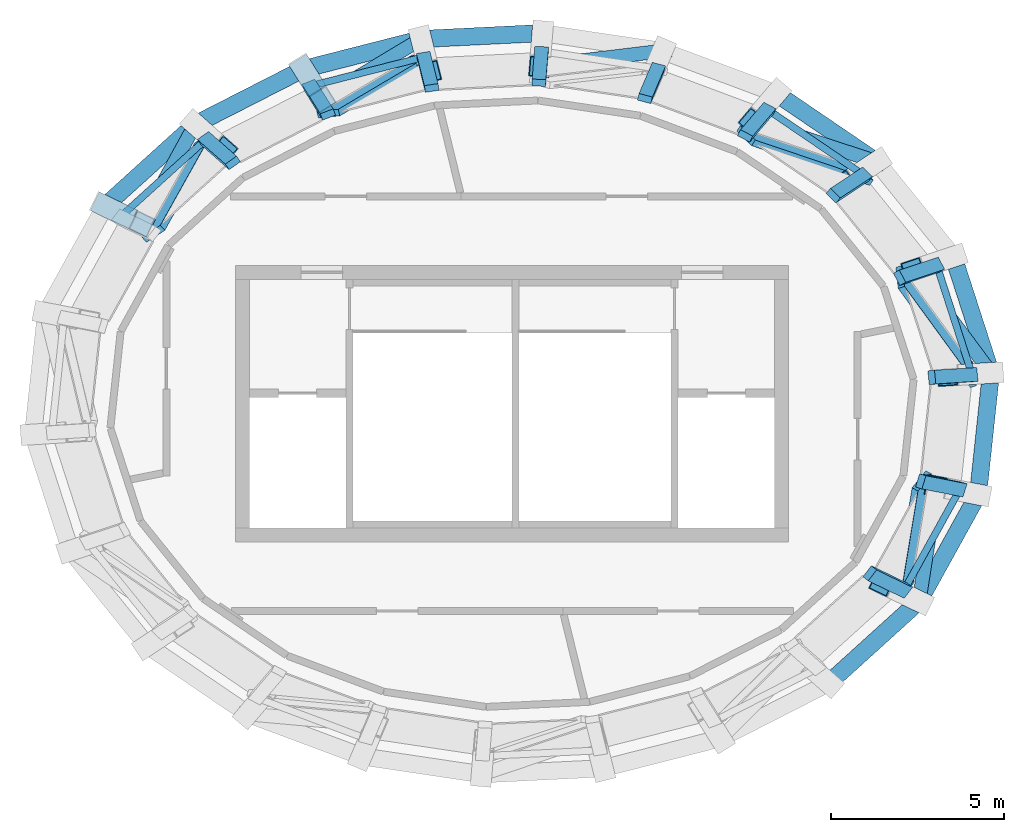
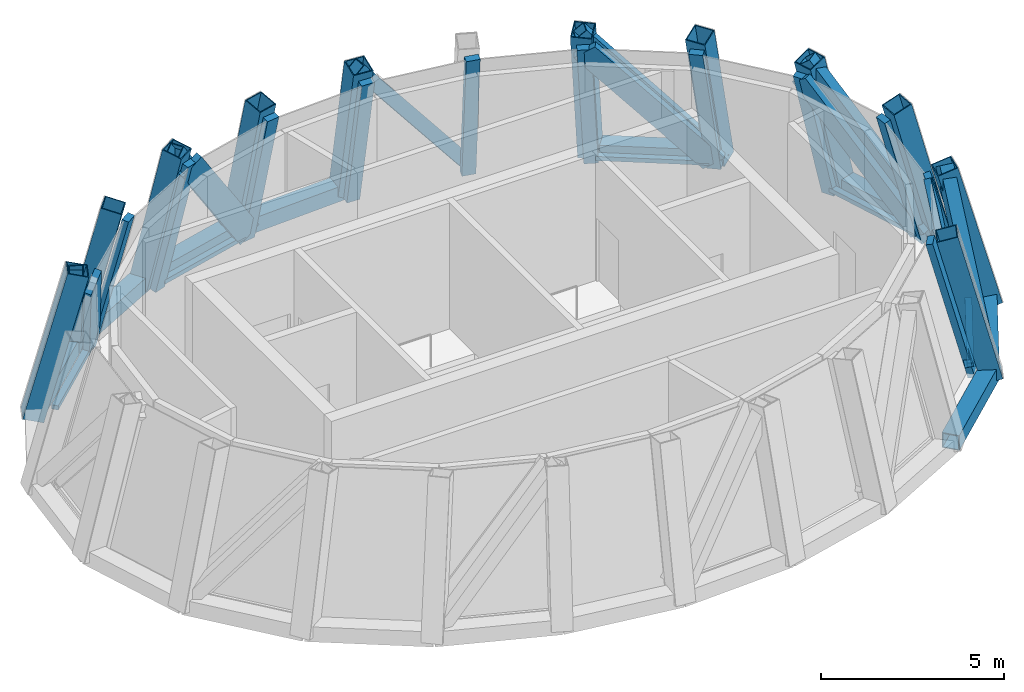
# One storey, part 2 of 6: 38 members, 9 beams, 1 element without a shape of its own.
"""IFC4 building model written with IfcOpenShell, lengths in metres."""

from ifc_helpers import new_model, si_unit, direction, frame, origin, origin_2d, place, context, subcontext, project, spatial, rectangle, hollow_rectangle, extrude, source, transform, mapped, material, material_profile, profile_set, type_object, element, aggregate, save


model = new_model("IFC4")

# Units and contexts
model_context = context("Model", 3, precision=1e-05, world=origin(), true_north=direction((0.0, 1.0)))
body_context = subcontext(model_context, "Body", "Model", "MODEL_VIEW")
ifc_project = project(units=[si_unit("LENGTHUNIT", "METRE"), si_unit("AREAUNIT", "SQUARE_METRE"), si_unit("VOLUMEUNIT", "CUBIC_METRE"), si_unit("PLANEANGLEUNIT", "RADIAN"), si_unit("MASSUNIT", "GRAM", prefix="KILO")], contexts=[model_context])

# Site, building, storey
site_placement = place(None, origin())
site = spatial("IfcSite", under=ifc_project, at=site_placement, CompositionType="ELEMENT")
building_placement = place(site_placement, origin())
building = spatial("IfcBuilding", under=site, at=building_placement, Name="Embergate Tower", CompositionType="ELEMENT")
storey_placement = place(building_placement, frame((0.0, 0.0, 370.0)))
storey = spatial("IfcBuildingStorey", under=building, at=storey_placement, Name="L84", CompositionType="ELEMENT", Elevation=370.0)

# Beams
ifc_material_1 = material(Name="Steel Q355D", Category="steel")
ifc_material_profile_1 = material_profile(ifc_material_1, hollow_rectangle(XDim=0.5, YDim=0.5, WallThickness=0.02490234375, at=origin_2d()), Name="BOX 500x500x25")
ifc_profile_set_1 = profile_set([ifc_material_profile_1], Name="Steel Q355 grade D")
beam_type = type_object("IfcBeamType", Name="Glass point ring beam BOX 500x500x25", PredefinedType="BEAM", material=ifc_profile_set_1)
shared_shape_1 = source(origin(), body_context, "Body", "SweptSolid", [
    extrude(hollow_rectangle(XDim=0.5, YDim=0.5, WallThickness=0.02490234375, at=origin_2d()), origin(), (0.0, 0.0, 1.0), 3.533935546875),
])
beam_1_placement = place(storey_placement, frame((13.85791015625, 0.888916015625, 0.0), z_axis=(-0.307281312672, 0.951618723483, 0.0), x_axis=(-0.951618723483, -0.307281312672, 0.0)))
element("IfcBeam", 1, at=beam_1_placement, inside=storey, type_object=beam_type, Name="CRN-L84-RB00", PredefinedType="BEAM", context=body_context, shape_type="MappedRepresentation", body=[
    mapped(shared_shape_1, transform((0.0, 0.0, 0.0))),
])
shared_shape_2 = source(origin(), body_context, "Body", "SweptSolid", [
    extrude(hollow_rectangle(XDim=0.5, YDim=0.5, WallThickness=0.02490234375, at=origin_2d()), origin(), (0.0, 0.0, 1.0), 3.51904296875),
])
beam_2_placement = place(storey_placement, frame((10.554931640625, 6.9970703125, 0.0), z_axis=(-0.826891660712, 0.562361255284, 0.0), x_axis=(-0.562361255284, -0.826891660712, 0.0)))
element("IfcBeam", 2, at=beam_2_placement, inside=storey, type_object=beam_type, Name="CRN-L84-RB02", PredefinedType="BEAM", context=body_context, shape_type="MappedRepresentation", body=[
    mapped(shared_shape_2, transform((0.0, 0.0, 0.0))),
])
shared_shape_3 = source(origin(), body_context, "Body", "SweptSolid", [
    extrude(hollow_rectangle(XDim=0.5, YDim=0.5, WallThickness=0.02490234375, at=origin_2d()), origin(), (0.0, 0.0, 1.0), 3.510986328125),
])
beam_3_placement = place(storey_placement, frame((0.87890625, 10.722900390625, 0.0), z_axis=(-0.998801099974, -0.048952657643, 0.0), x_axis=(0.048952657643, -0.998801099974, 0.0)))
element("IfcBeam", 3, at=beam_3_placement, inside=storey, type_object=beam_type, Name="CRN-L84-RB05", PredefinedType="BEAM", context=body_context, shape_type="MappedRepresentation", body=[
    mapped(shared_shape_3, transform((0.0, 0.0, 0.0))),
])
shared_shape_4 = source(origin(), body_context, "Body", "SweptSolid", [
    extrude(hollow_rectangle(XDim=0.5, YDim=0.5, WallThickness=0.02490234375, at=origin_2d()), origin(), (0.0, 0.0, 1.0), 3.51220703125),
])
beam_4_placement = place(storey_placement, frame((-2.6279296875, 10.551025390625, 0.0), z_axis=(-0.968899274355, -0.247455442765, 0.0), x_axis=(0.247455442765, -0.968899274355, 0.0)))
element("IfcBeam", 4, at=beam_4_placement, inside=storey, type_object=beam_type, Name="CRN-L84-RB06", PredefinedType="BEAM", context=body_context, shape_type="MappedRepresentation", body=[
    mapped(shared_shape_4, transform((0.0, 0.0, 0.0))),
])
shared_shape_5 = source(origin(), body_context, "Body", "SweptSolid", [
    extrude(hollow_rectangle(XDim=0.5, YDim=0.5, WallThickness=0.02490234375, at=origin_2d()), origin(), (0.0, 0.0, 1.0), 3.517333984375),
])
beam_5_placement = place(storey_placement, frame((-6.031005859375, 9.681884765625, 0.0), z_axis=(-0.890718284647, -0.454555758291, 0.0), x_axis=(0.454555758291, -0.890718284647, 0.0)))
element("IfcBeam", 5, at=beam_5_placement, inside=storey, type_object=beam_type, Name="CRN-L84-RB07", PredefinedType="BEAM", context=body_context, shape_type="MappedRepresentation", body=[
    mapped(shared_shape_5, transform((0.0, 0.0, 0.0))),
])
shared_shape_6 = source(origin(), body_context, "Body", "SweptSolid", [
    extrude(hollow_rectangle(XDim=0.5, YDim=0.5, WallThickness=0.02490234375, at=origin_2d()), origin(), (0.0, 0.0, 1.0), 3.524169921875),
])
for number, where, z_axis, x_axis, name in (
    (6, (-9.1640625, 8.0830078125, 0.0), (-0.741126975465, -0.671364883084, 0.0), (0.671364883084, -0.741126975465, 0.0), "CRN-L84-RB08"),
    (7, (9.1640625, -8.0830078125, 0.0), (0.741126975465, 0.671364883084, 0.0), (-0.671364883084, 0.741126975465, 0.0), "CRN-L84-RB19"),
):
    element("IfcBeam", number, at=place(storey_placement, frame(where, z_axis=z_axis, x_axis=x_axis)), inside=storey, type_object=beam_type, Name=name, PredefinedType="BEAM", context=body_context, shape_type="MappedRepresentation", body=[
        mapped(shared_shape_6, transform((0.0, 0.0, 0.0))),
    ])
shared_shape_7 = source(origin(), body_context, "Body", "SweptSolid", [
    extrude(hollow_rectangle(XDim=0.5, YDim=0.5, WallThickness=0.02490234375, at=origin_2d()), origin(), (0.0, 0.0, 1.0), 3.53076171875),
])
beam_6_placement = place(storey_placement, frame((11.77587890625, -5.717041015625, 0.0), z_axis=(0.483757201985, 0.875202244929, 0.0), x_axis=(-0.875202244929, 0.483757201985, 0.0)))
element("IfcBeam", 8, at=beam_6_placement, inside=storey, type_object=beam_type, Name="CRN-L84-RB20", PredefinedType="BEAM", context=body_context, shape_type="MappedRepresentation", body=[
    mapped(shared_shape_7, transform((0.0, 0.0, 0.0))),
])
shared_shape_8 = source(origin(), body_context, "Body", "SweptSolid", [
    extrude(hollow_rectangle(XDim=0.5, YDim=0.5, WallThickness=0.02490234375, at=origin_2d()), origin(), (0.0, 0.0, 1.0), 3.53564453125),
])
beam_7_placement = place(storey_placement, frame((13.48388671875, -2.626953125, 0.0), z_axis=(0.105784601885, 0.994389067721, 0.0), x_axis=(-0.994389067721, 0.105784601885, 0.0)))
element("IfcBeam", 9, at=beam_7_placement, inside=storey, type_object=beam_type, Name="CRN-L84-RB21", PredefinedType="BEAM", context=body_context, shape_type="MappedRepresentation", body=[
    mapped(shared_shape_8, transform((0.0, 0.0, 0.0))),
])

# Members
ifc_material_profile_2 = material_profile(ifc_material_1, hollow_rectangle(XDim=0.60009765625, YDim=0.60009765625, WallThickness=0.028076171875, at=origin_2d()), Name="BOX 600x600x28")
ifc_profile_set_2 = profile_set([ifc_material_profile_2], Name="Steel Q355 grade D")
member_type_1 = type_object("IfcMemberType", Name="Glass point hip BOX 600x600x28", PredefinedType="MEMBER", material=ifc_profile_set_2)
shared_shape_9 = source(origin(), body_context, "Body", "SweptSolid", [
    extrude(hollow_rectangle(XDim=0.60009765625, YDim=0.60009765625, WallThickness=0.028076171875, at=origin_2d()), origin(), (0.0, 0.0, 1.0), 4.964111328125),
])
member_1_placement = place(storey_placement, frame((13.89697265625, 0.89208984375, -0.14501953125), z_axis=(-0.26189350722, -0.016918566476, 0.964948471673), x_axis=(0.064466560475, -0.997919867815, 0.0)))
element("IfcMember", 10, at=member_1_placement, inside=storey, type_object=member_type_1, Name="CRN-L84-HP00", PredefinedType="MEMBER", context=body_context, shape_type="MappedRepresentation", body=[
    mapped(shared_shape_9, transform((0.0, 0.0, 0.0))),
])
shared_shape_10 = source(origin(), body_context, "Body", "SweptSolid", [
    extrude(hollow_rectangle(XDim=0.60009765625, YDim=0.60009765625, WallThickness=0.028076171875, at=origin_2d()), origin(), (0.0, 0.0, 1.0), 4.937255859375),
])
member_2_placement = place(storey_placement, frame((10.5849609375, 7.01708984375, -0.14599609375), z_axis=(-0.200710682198, -0.133065396845, 0.97057138955), x_axis=(0.552566012863, -0.833469136459, 0.0)))
element("IfcMember", 11, at=member_2_placement, inside=storey, type_object=member_type_1, Name="CRN-L84-HP02", PredefinedType="MEMBER", context=body_context, shape_type="MappedRepresentation", body=[
    mapped(shared_shape_10, transform((0.0, 0.0, 0.0))),
])
shared_shape_11 = source(origin(), body_context, "Body", "SweptSolid", [
    extrude(hollow_rectangle(XDim=0.60009765625, YDim=0.60009765625, WallThickness=0.028076171875, at=origin_2d()), origin(), (0.0, 0.0, 1.0), 4.918701171875),
])
member_3_placement = place(storey_placement, frame((7.6669921875, 9.001953125, -0.14599609375), z_axis=(-0.146179093793, -0.171592912476, 0.974262564674), x_axis=(0.761227126686, -0.648485359586, 0.0)))
element("IfcMember", 12, at=member_3_placement, inside=storey, type_object=member_type_1, Name="CRN-L84-HP03", PredefinedType="MEMBER", context=body_context, shape_type="MappedRepresentation", body=[
    mapped(shared_shape_11, transform((0.0, 0.0, 0.0))),
])
shared_shape_12 = source(origin(), body_context, "Body", "SweptSolid", [
    extrude(hollow_rectangle(XDim=0.60009765625, YDim=0.60009765625, WallThickness=0.028076171875, at=origin_2d()), origin(), (0.0, 0.0, 1.0), 4.901611328125),
])
member_4_placement = place(storey_placement, frame((-2.635986328125, 10.5810546875, -0.14697265625), z_axis=(0.050605527649, -0.202173067646, 0.978041477285), x_axis=(0.970072167373, 0.242816782964, 0.0)))
element("IfcMember", 13, at=member_4_placement, inside=storey, type_object=member_type_1, Name="CRN-L84-HP06", PredefinedType="MEMBER", context=body_context, shape_type="MappedRepresentation", body=[
    mapped(shared_shape_12, transform((0.0, 0.0, 0.0))),
])
shared_shape_13 = source(origin(), body_context, "Body", "SweptSolid", [
    extrude(hollow_rectangle(XDim=0.60009765625, YDim=0.60009765625, WallThickness=0.028076171875, at=origin_2d()), origin(), (0.0, 0.0, 1.0), 4.927490234375),
])
member_5_placement = place(storey_placement, frame((-9.18994140625, 8.10595703125, -0.14599609375), z_axis=(0.174700741221, -0.154039876476, 0.9724974897), x_axis=(0.661361278395, 0.750067503255, 0.0)))
element("IfcMember", 14, at=member_5_placement, inside=storey, type_object=member_type_1, Name="CRN-L84-HP08", PredefinedType="MEMBER", context=body_context, shape_type="MappedRepresentation", body=[
    mapped(shared_shape_13, transform((0.0, 0.0, 0.0))),
])
shared_shape_14 = source(origin(), body_context, "Body", "SweptSolid", [
    extrude(hollow_rectangle(XDim=0.60009765625, YDim=0.60009765625, WallThickness=0.028076171875, at=origin_2d()), origin(), (0.0, 0.0, 1.0), 4.945556640625),
])
for number, where, z_axis, x_axis, name in (
    (15, (-11.81005859375, 5.73291015625, -0.14501953125), (0.224065532409, -0.108355109856, 0.968531779217), (0.4353535472, 0.900259567536, 0.0), "CRN-L84-HP09"),
    (16, (11.81005859375, -5.73291015625, -0.14501953125), (-0.224065532409, 0.108355109856, 0.968531779217), (-0.4353535472, -0.900259567536, 0.0), "CRN-L84-HP20"),
):
    element("IfcMember", number, at=place(storey_placement, frame(where, z_axis=z_axis, x_axis=x_axis)), inside=storey, type_object=member_type_1, Name=name, PredefinedType="MEMBER", context=body_context, shape_type="MappedRepresentation", body=[
        mapped(shared_shape_14, transform((0.0, 0.0, 0.0))),
    ])
shared_shape_15 = source(origin(), body_context, "Body", "SweptSolid", [
    extrude(hollow_rectangle(XDim=0.60009765625, YDim=0.60009765625, WallThickness=0.028076171875, at=origin_2d()), origin(), (0.0, 0.0, 1.0), 4.96044921875),
])
member_6_placement = place(storey_placement, frame((13.52197265625, -2.634033203125, -0.14501953125), z_axis=(-0.255001098629, 0.049612257753, 0.965667159832), x_axis=(-0.190976150256, -0.98159467706, 0.0)))
element("IfcMember", 17, at=member_6_placement, inside=storey, type_object=member_type_1, Name="CRN-L84-HP21", PredefinedType="MEMBER", context=body_context, shape_type="MappedRepresentation", body=[
    mapped(shared_shape_15, transform((0.0, 0.0, 0.0))),
])
ifc_material_profile_3 = material_profile(ifc_material_1, hollow_rectangle(XDim=0.39990234375, YDim=0.39990234375, WallThickness=0.02197265625, at=origin_2d()), Name="BOX 400x400x22")
ifc_profile_set_3 = profile_set([ifc_material_profile_3], Name="Steel Q355 grade D")
member_type_2 = type_object("IfcMemberType", Name="Glass point brace BOX 400x400x22", PredefinedType="BRACE", material=ifc_profile_set_3)
shared_shape_16 = source(origin(), body_context, "Body", "SweptSolid", [
    extrude(hollow_rectangle(XDim=0.39990234375, YDim=0.39990234375, WallThickness=0.02197265625, at=origin_2d()), origin(), (0.0, 0.0, 1.0), 6.138427734375),
])
member_7_placement = place(storey_placement, frame((13.9150390625, 0.81201171875, -0.115966796875), z_axis=(-0.379115260776, 0.511877193264, 0.770878303018), x_axis=(-0.803597011278, -0.595173792657, 0.0)))
element("IfcMember", 18, at=member_7_placement, inside=storey, type_object=member_type_2, Name="CRN-L84-DG00", PredefinedType="BRACE", context=body_context, shape_type="MappedRepresentation", body=[
    mapped(shared_shape_16, transform((0.0, 0.0, 0.0))),
])
shared_shape_17 = source(origin(), body_context, "Body", "SweptSolid", [
    extrude(hollow_rectangle(XDim=0.60009765625, YDim=0.60009765625, WallThickness=0.028076171875, at=origin_2d()), origin(), (0.0, 0.0, 1.0), 4.953857421875),
])
member_8_placement = place(storey_placement, frame((12.80810546875, 4.263916015625, -0.14501953125), z_axis=(-0.242072647791, -0.080526609628, 0.966910698221), x_axis=(0.315648181589, -0.948876296184, 0.0)))
element("IfcMember", 19, at=member_8_placement, inside=storey, type_object=member_type_1, Name="CRN-L84-HP01", PredefinedType="MEMBER", context=body_context, shape_type="MappedRepresentation", body=[
    mapped(shared_shape_17, transform((0.0, 0.0, 0.0))),
])
shared_shape_18 = source(origin(), body_context, "Body", "SweptSolid", [
    extrude(hollow_rectangle(XDim=0.39990234375, YDim=0.39990234375, WallThickness=0.02197265625, at=origin_2d()), origin(), (0.0, 0.0, 1.0), 6.17529296875),
])
member_9_placement = place(storey_placement, frame((10.64697265625, 6.967041015625, -0.114990234375), z_axis=(-0.610347645438, 0.201946869601, 0.765959015592), x_axis=(-0.314123810695, -0.949382026138, 0.0)))
element("IfcMember", 20, at=member_9_placement, inside=storey, type_object=member_type_2, Name="CRN-L84-DG02", PredefinedType="BRACE", context=body_context, shape_type="MappedRepresentation", body=[
    mapped(shared_shape_18, transform((0.0, 0.0, 0.0))),
])
shared_shape_19 = source(origin(), body_context, "Body", "SweptSolid", [
    extrude(hollow_rectangle(XDim=0.39990234375, YDim=0.39990234375, WallThickness=0.02197265625, at=origin_2d()), origin(), (0.0, 0.0, 1.0), 6.048095703125),
])
member_10_placement = place(storey_placement, frame((4.445068359375, 10.216064453125, -0.116943359375), z_axis=(-0.617895517693, -0.074597956275, 0.782713404852), x_axis=(0.119858737014, -0.992790956426, 0.0)))
element("IfcMember", 21, at=member_10_placement, inside=storey, type_object=member_type_2, Name="CRN-L84-DG04", PredefinedType="BRACE", context=body_context, shape_type="MappedRepresentation", body=[
    mapped(shared_shape_19, transform((0.0, 0.0, 0.0))),
])
shared_shape_20 = source(origin(), body_context, "Body", "SweptSolid", [
    extrude(hollow_rectangle(XDim=0.60009765625, YDim=0.60009765625, WallThickness=0.028076171875, at=origin_2d()), origin(), (0.0, 0.0, 1.0), 4.899658203125),
])
member_11_placement = place(storey_placement, frame((0.882080078125, 10.75390625, -0.14697265625), z_axis=(-0.017140874765, -0.205889809678, 0.978425049088), x_axis=(0.996552408266, -0.082965640959, 0.0)))
element("IfcMember", 22, at=member_11_placement, inside=storey, type_object=member_type_1, Name="CRN-L84-HP05", PredefinedType="MEMBER", context=body_context, shape_type="MappedRepresentation", body=[
    mapped(shared_shape_20, transform((0.0, 0.0, 0.0))),
])
shared_shape_21 = source(origin(), body_context, "Body", "SweptSolid", [
    extrude(hollow_rectangle(XDim=0.39990234375, YDim=0.39990234375, WallThickness=0.02197265625, at=origin_2d()), origin(), (0.0, 0.0, 1.0), 5.9091796875),
])
member_12_placement = place(storey_placement, frame((-2.551025390625, 10.596923828125, -0.1201171875), z_axis=(-0.511906119341, -0.307308935889, 0.802192833989), x_axis=(0.514699266261, -0.857370786364, 0.0)))
element("IfcMember", 23, at=member_12_placement, inside=storey, type_object=member_type_2, Name="CRN-L84-DG06", PredefinedType="BRACE", context=body_context, shape_type="MappedRepresentation", body=[
    mapped(shared_shape_21, transform((0.0, 0.0, 0.0))),
])
shared_shape_22 = source(origin(), body_context, "Body", "SweptSolid", [
    extrude(hollow_rectangle(XDim=0.60009765625, YDim=0.60009765625, WallThickness=0.028076171875, at=origin_2d()), origin(), (0.0, 0.0, 1.0), 4.91064453125),
])
member_13_placement = place(storey_placement, frame((-6.048095703125, 9.7099609375, -0.14599609375), z_axis=(0.115295180547, -0.185496472024, 0.975857612672), x_axis=(0.849312909201, 0.527889744421, 0.0)))
element("IfcMember", 24, at=member_13_placement, inside=storey, type_object=member_type_1, Name="CRN-L84-HP07", PredefinedType="MEMBER", context=body_context, shape_type="MappedRepresentation", body=[
    mapped(shared_shape_22, transform((0.0, 0.0, 0.0))),
])
shared_shape_23 = source(origin(), body_context, "Body", "SweptSolid", [
    extrude(hollow_rectangle(XDim=0.39990234375, YDim=0.39990234375, WallThickness=0.02197265625, at=origin_2d()), origin(), (0.0, 0.0, 1.0), 5.863037109375),
])
member_14_placement = place(storey_placement, frame((-9.1220703125, 8.159912109375, -0.12109375), z_axis=(-0.282450028102, -0.515763828406, 0.808832278617), x_axis=(0.877090585441, -0.480324999277, 0.0)))
element("IfcMember", 25, at=member_14_placement, inside=storey, type_object=member_type_2, Name="CRN-L84-DG08", PredefinedType="BRACE", context=body_context, shape_type="MappedRepresentation", body=[
    mapped(shared_shape_23, transform((0.0, 0.0, 0.0))),
])
shared_shape_24 = source(origin(), body_context, "Body", "SweptSolid", [
    extrude(hollow_rectangle(XDim=0.39990234375, YDim=0.39990234375, WallThickness=0.02197265625, at=origin_2d()), origin(), (0.0, 0.0, 1.0), 5.917724609375),
])
member_15_placement = place(storey_placement, frame((11.761962890625, -5.805908203125, -0.1201171875), z_axis=(0.092454709501, 0.591446102366, 0.80102661297), x_axis=(-0.988001519733, 0.154444154975, 0.0)))
element("IfcMember", 26, at=member_15_placement, inside=storey, type_object=member_type_2, Name="CRN-L84-DG20", PredefinedType="BRACE", context=body_context, shape_type="MappedRepresentation", body=[
    mapped(shared_shape_24, transform((0.0, 0.0, 0.0))),
])

# Curtain wall, members
ifc_material_2 = material(Name="Aluminium and glass", Category="aluminium")
curtain_wall_type = type_object("IfcCurtainWallType", Name="Crown facet glazing", PredefinedType="NOTDEFINED", material=ifc_material_2)
curtain_wall_placement = place(storey_placement, origin())
curtain_wall = element("IfcCurtainWall", 27, at=curtain_wall_placement, inside=storey, type_object=curtain_wall_type, Name="Crown facet glazing L84", ObjectType="CROWN FACET GLAZING", PredefinedType="USERDEFINED")
ifc_material_3 = material(Name="Aluminium, thermally broken", Category="aluminium")
ifc_material_profile_4 = material_profile(ifc_material_3, rectangle(XDim=0.199951171875, YDim=0.39990234375, at=origin_2d()), Name="AL 400x200")
ifc_profile_set_4 = profile_set([ifc_material_profile_4], Name="Aluminium, thermally broken")
member_type_3 = type_object("IfcMemberType", Name="Crown hip mullion", PredefinedType="MULLION", material=ifc_profile_set_4)
shared_shape_25 = source(origin(), body_context, "Body", "SweptSolid", [
    extrude(rectangle(XDim=0.199951171875, YDim=0.39990234375, at=origin_2d()), origin(), (0.0, 0.0, 1.0), 4.66357421875),
])
member_16_placement = place(storey_placement, frame((13.3681640625, 0.838134765625, -0.1337890625), z_axis=(-0.262061765825, -0.016699501258, 0.96490660561), x_axis=(0.959824332733, 0.099410618504, 0.26240194211)))
member_16 = element("IfcMember", 28, at=member_16_placement, type_object=member_type_3, Name="CW hip 1", PredefinedType="MULLION", context=body_context, shape_type="MappedRepresentation", body=[
    mapped(shared_shape_25, transform((0.0, 0.0, 0.0))),
])
shared_shape_26 = source(origin(), body_context, "Body", "SweptSolid", [
    extrude(rectangle(XDim=0.199951171875, YDim=0.39990234375, at=origin_2d()), origin(), (0.0, 0.0, 1.0), 4.636474609375),
])
member_17_placement = place(storey_placement, frame((10.222412109375, 6.6357421875, -0.118408203125), z_axis=(-0.200777857695, -0.133062063046, 0.970557952539), x_axis=(0.658408147619, 0.715274556246, 0.234266985162)))
member_17 = element("IfcMember", 29, at=member_17_placement, type_object=member_type_3, Name="CW hip 3", PredefinedType="MULLION", context=body_context, shape_type="MappedRepresentation", body=[
    mapped(shared_shape_26, transform((0.0, 0.0, 0.0))),
])
shared_shape_27 = source(origin(), body_context, "Body", "SweptSolid", [
    extrude(rectangle(XDim=0.199951171875, YDim=0.39990234375, at=origin_2d()), origin(), (0.0, 0.0, 1.0), 4.59912109375),
])
member_18_placement = place(storey_placement, frame((0.854736328125, 10.232177734375, -0.103759765625), z_axis=(-0.01698652435, -0.205908524852, 0.978423802544), x_axis=(0.048552618981, 0.977240693947, 0.206502467985)))
member_18 = element("IfcMember", 30, at=member_18_placement, type_object=member_type_3, Name="CW hip 6", PredefinedType="MULLION", context=body_context, shape_type="MappedRepresentation", body=[
    mapped(shared_shape_27, transform((0.0, 0.0, 0.0))),
])
shared_shape_28 = source(origin(), body_context, "Body", "SweptSolid", [
    extrude(rectangle(XDim=0.199951171875, YDim=0.39990234375, at=origin_2d()), origin(), (0.0, 0.0, 1.0), 4.60107421875),
])
member_19_placement = place(storey_placement, frame((-2.5546875, 10.06494140625, -0.1044921875), z_axis=(0.050407980312, -0.202321714662, 0.978020940112), x_axis=(-0.145631371181, 0.967310079204, 0.207611932217)))
member_19 = element("IfcMember", 31, at=member_19_placement, type_object=member_type_3, Name="CW hip 7", PredefinedType="MULLION", context=body_context, shape_type="MappedRepresentation", body=[
    mapped(shared_shape_28, transform((0.0, 0.0, 0.0))),
])
shared_shape_29 = source(origin(), body_context, "Body", "SweptSolid", [
    extrude(rectangle(XDim=0.199951171875, YDim=0.39990234375, at=origin_2d()), origin(), (0.0, 0.0, 1.0), 4.62744140625),
])
member_20_placement = place(storey_placement, frame((-8.88525390625, 7.6787109375, -0.1142578125), z_axis=(0.174845940811, -0.154058583937, 0.972468431209), x_axis=(-0.553086247286, 0.801756088736, 0.22645700969)))
member_20 = element("IfcMember", 32, at=member_20_placement, type_object=member_type_3, Name="CW hip 9", PredefinedType="MULLION", context=body_context, shape_type="MappedRepresentation", body=[
    mapped(shared_shape_29, transform((0.0, 0.0, 0.0))),
])
shared_shape_30 = source(origin(), body_context, "Body", "SweptSolid", [
    extrude(rectangle(XDim=0.199951171875, YDim=0.39990234375, at=origin_2d()), origin(), (0.0, 0.0, 1.0), 4.64599609375),
])
member_21_placement = place(storey_placement, frame((11.39111328125, -5.411865234375, -0.123291015625), z_axis=(-0.223854116493, 0.108511443793, 0.968563163193), x_axis=(0.760096010704, -0.602590917637, 0.243183553088)))
member_21 = element("IfcMember", 33, at=member_21_placement, type_object=member_type_3, Name="CW hip 21", PredefinedType="MULLION", context=body_context, shape_type="MappedRepresentation", body=[
    mapped(shared_shape_30, transform((0.0, 0.0, 0.0))),
])
shared_shape_31 = source(origin(), body_context, "Body", "SweptSolid", [
    extrude(rectangle(XDim=0.199951171875, YDim=0.39990234375, at=origin_2d()), origin(), (0.0, 0.0, 1.0), 4.66015625),
])
member_22_placement = place(storey_placement, frame((13.0146484375, -2.47900390625, -0.131591796875), z_axis=(-0.255131251386, 0.049821318289, 0.965622017567), x_axis=(0.921190397078, -0.290923797398, 0.258402005485)))
member_22 = element("IfcMember", 34, at=member_22_placement, type_object=member_type_3, Name="CW hip 22", PredefinedType="MULLION", context=body_context, shape_type="MappedRepresentation", body=[
    mapped(shared_shape_31, transform((0.0, 0.0, 0.0))),
])
ifc_material_profile_5 = material_profile(ifc_material_3, rectangle(XDim=0.199951171875, YDim=0.139892578125, at=origin_2d()), Name="AL 140x200")
ifc_profile_set_5 = profile_set([ifc_material_profile_5], Name="Aluminium, thermally broken")
member_type_4 = type_object("IfcMemberType", Name="Crown facet transom", PredefinedType="USERDEFINED", material=ifc_profile_set_5)
shared_shape_32 = source(origin(), body_context, "Body", "SweptSolid", [
    extrude(rectangle(XDim=0.199951171875, YDim=0.139892578125, at=origin_2d()), origin(), (0.0, 0.0, 1.0), 3.1201171875),
])
member_23_placement = place(storey_placement, frame((13.28271484375, 0.92724609375, 0.070068359375), z_axis=(-0.307270248085, 0.951622296209, 0.0), x_axis=(-0.951622296209, -0.307270248085, 0.0)))
member_23 = element("IfcMember", 35, at=member_23_placement, type_object=member_type_4, Name="CW transom 1.1", ObjectType="TRANSOM", PredefinedType="USERDEFINED", context=body_context, shape_type="MappedRepresentation", body=[
    mapped(shared_shape_32, transform((0.0, 0.0, 0.0))),
])
ifc_material_profile_6 = material_profile(ifc_material_3, rectangle(XDim=0.199951171875, YDim=0.760009765625, at=origin_2d()), Name="AL 760x200")
ifc_profile_set_6 = profile_set([ifc_material_profile_6], Name="Aluminium, thermally broken")
member_type_5 = type_object("IfcMemberType", Name="Crown diagonal cover mullion", PredefinedType="MULLION", material=ifc_profile_set_6)
shared_shape_33 = source(origin(), body_context, "Body", "SweptSolid", [
    extrude(rectangle(XDim=0.199951171875, YDim=0.760009765625, at=origin_2d()), origin(), (0.0, 0.0, 1.0), 5.48779296875),
])
member_24_placement = place(storey_placement, frame((13.317626953125, 0.80078125, 0.091552734375), z_axis=(-0.380289098245, 0.522074469807, 0.763425470974), x_axis=(0.920112481257, 0.297160305438, 0.255125017801)))
member_24 = element("IfcMember", 36, at=member_24_placement, type_object=member_type_5, Name="CW diagonal mullion 1", PredefinedType="MULLION", context=body_context, shape_type="MappedRepresentation", body=[
    mapped(shared_shape_33, transform((0.0, 0.0, 0.0))),
])
shared_shape_34 = source(origin(), body_context, "Body", "SweptSolid", [
    extrude(rectangle(XDim=0.199951171875, YDim=0.39990234375, at=origin_2d()), origin(), (0.0, 0.0, 1.0), 4.654052734375),
])
member_25_placement = place(storey_placement, frame((12.339599609375, 4.017822265625, -0.127685546875), z_axis=(-0.242142000611, -0.080574114588, 0.966889375057), x_axis=(0.851095571937, 0.460826630283, 0.251545511294)))
member_25 = element("IfcMember", 37, at=member_25_placement, type_object=member_type_3, Name="CW hip 2", PredefinedType="MULLION", context=body_context, shape_type="MappedRepresentation", body=[
    mapped(shared_shape_34, transform((0.0, 0.0, 0.0))),
])
shared_shape_35 = source(origin(), body_context, "Body", "SweptSolid", [
    extrude(rectangle(XDim=0.199951171875, YDim=0.139892578125, at=origin_2d()), origin(), (0.0, 0.0, 1.0), 3.106689453125),
])
member_26_placement = place(storey_placement, frame((10.077880859375, 6.681640625, 0.070068359375), z_axis=(-0.826888496582, 0.562365907769, 0.0), x_axis=(-0.562365907769, -0.826888496582, 0.0)))
member_26 = element("IfcMember", 38, at=member_26_placement, type_object=member_type_4, Name="CW transom 3.1", ObjectType="TRANSOM", PredefinedType="USERDEFINED", context=body_context, shape_type="MappedRepresentation", body=[
    mapped(shared_shape_35, transform((0.0, 0.0, 0.0))),
])
shared_shape_36 = source(origin(), body_context, "Body", "SweptSolid", [
    extrude(rectangle(XDim=0.199951171875, YDim=0.760009765625, at=origin_2d()), origin(), (0.0, 0.0, 1.0), 5.5380859375),
])
member_27_placement = place(storey_placement, frame((10.183837890625, 6.603759765625, 0.091064453125), z_axis=(-0.616420665885, 0.208074486375, 0.759427791689), x_axis=(0.547990689226, 0.805939683202, 0.223980873207)))
member_27 = element("IfcMember", 39, at=member_27_placement, type_object=member_type_5, Name="CW diagonal mullion 3", PredefinedType="MULLION", context=body_context, shape_type="MappedRepresentation", body=[
    mapped(shared_shape_36, transform((0.0, 0.0, 0.0))),
])
shared_shape_37 = source(origin(), body_context, "Body", "SweptSolid", [
    extrude(rectangle(XDim=0.199951171875, YDim=0.39990234375, at=origin_2d()), origin(), (0.0, 0.0, 1.0), 4.61865234375),
])
member_28_placement = place(storey_placement, frame((7.41943359375, 8.539794921875, -0.110595703125), z_axis=(-0.146153697129, -0.171472909037, 0.974287502887), x_axis=(0.447975995479, 0.86662456322, 0.219725678743)))
member_28 = element("IfcMember", 40, at=member_28_placement, type_object=member_type_3, Name="CW hip 4", PredefinedType="MULLION", context=body_context, shape_type="MappedRepresentation", body=[
    mapped(shared_shape_37, transform((0.0, 0.0, 0.0))),
])
shared_shape_38 = source(origin(), body_context, "Body", "SweptSolid", [
    extrude(rectangle(XDim=0.199951171875, YDim=0.39990234375, at=origin_2d()), origin(), (0.0, 0.0, 1.0), 4.60546875),
])
member_29_placement = place(storey_placement, frame((4.229248046875, 9.729248046875, -0.105712890625), z_axis=(-0.083387991981, -0.195667564145, 0.977118543031), x_axis=(0.244271557349, 0.946605367551, 0.210403622577)))
member_29 = element("IfcMember", 41, at=member_29_placement, type_object=member_type_3, Name="CW hip 5", PredefinedType="MULLION", context=body_context, shape_type="MappedRepresentation", body=[
    mapped(shared_shape_38, transform((0.0, 0.0, 0.0))),
])
shared_shape_39 = source(origin(), body_context, "Body", "SweptSolid", [
    extrude(rectangle(XDim=0.199951171875, YDim=0.139892578125, at=origin_2d()), origin(), (0.0, 0.0, 1.0), 3.10009765625),
])
member_30_placement = place(storey_placement, frame((-2.69189453125, 9.99169921875, 0.070068359375), z_axis=(-0.968902446763, -0.24744302103, 0.0), x_axis=(0.24744302103, -0.968902446763, 0.0)))
member_30 = element("IfcMember", 42, at=member_30_placement, type_object=member_type_4, Name="CW transom 7.1", ObjectType="TRANSOM", PredefinedType="USERDEFINED", context=body_context, shape_type="MappedRepresentation", body=[
    mapped(shared_shape_39, transform((0.0, 0.0, 0.0))),
])
shared_shape_40 = source(origin(), body_context, "Body", "SweptSolid", [
    extrude(rectangle(XDim=0.199951171875, YDim=0.760009765625, at=origin_2d()), origin(), (0.0, 0.0, 1.0), 5.2822265625),
])
member_31_placement = place(storey_placement, frame((-2.564208984375, 10.0185546875, 0.095458984375), z_axis=(-0.520847951273, -0.308284305173, 0.796039068664), x_axis=(-0.242047927545, 0.94757558466, 0.208598447087)))
member_31 = element("IfcMember", 43, at=member_31_placement, type_object=member_type_5, Name="CW diagonal mullion 7", PredefinedType="MULLION", context=body_context, shape_type="MappedRepresentation", body=[
    mapped(shared_shape_40, transform((0.0, 0.0, 0.0))),
])
shared_shape_41 = source(origin(), body_context, "Body", "SweptSolid", [
    extrude(rectangle(XDim=0.199951171875, YDim=0.39990234375, at=origin_2d()), origin(), (0.0, 0.0, 1.0), 4.611328125),
])
member_32_placement = place(storey_placement, frame((-5.857421875, 9.222412109375, -0.10791015625), z_axis=(0.115365202346, -0.185410251773, 0.975865722641), x_axis=(-0.344856403266, 0.913843005621, 0.214394547982)))
member_32 = element("IfcMember", 44, at=member_32_placement, type_object=member_type_3, Name="CW hip 8", PredefinedType="MULLION", context=body_context, shape_type="MappedRepresentation", body=[
    mapped(shared_shape_41, transform((0.0, 0.0, 0.0))),
])
shared_shape_42 = source(origin(), body_context, "Body", "SweptSolid", [
    extrude(rectangle(XDim=0.199951171875, YDim=0.139892578125, at=origin_2d()), origin(), (0.0, 0.0, 1.0), 3.111328125),
])
member_33_placement = place(storey_placement, frame((-8.952392578125, 7.558837890625, 0.070068359375), z_axis=(-0.741124811284, -0.671367272139, 0.0), x_axis=(0.671367272139, -0.741124811284, 0.0)))
member_33 = element("IfcMember", 45, at=member_33_placement, type_object=member_type_4, Name="CW transom 9.1", ObjectType="TRANSOM", PredefinedType="USERDEFINED", context=body_context, shape_type="MappedRepresentation", body=[
    mapped(shared_shape_42, transform((0.0, 0.0, 0.0))),
])
shared_shape_43 = source(origin(), body_context, "Body", "SweptSolid", [
    extrude(rectangle(XDim=0.199951171875, YDim=0.760009765625, at=origin_2d()), origin(), (0.0, 0.0, 1.0), 5.227294921875),
])
member_34_placement = place(storey_placement, frame((-8.8515625, 7.6416015625, 0.09619140625), z_axis=(-0.291351764085, -0.521612135508, 0.80189458762), x_axis=(-0.653096319737, 0.72096432197, 0.231680045736)))
member_34 = element("IfcMember", 46, at=member_34_placement, type_object=member_type_5, Name="CW diagonal mullion 9", PredefinedType="MULLION", context=body_context, shape_type="MappedRepresentation", body=[
    mapped(shared_shape_43, transform((0.0, 0.0, 0.0))),
])
shared_shape_44 = source(origin(), body_context, "Body", "SweptSolid", [
    extrude(rectangle(XDim=0.199951171875, YDim=0.139892578125, at=origin_2d()), origin(), (0.0, 0.0, 1.0), 3.117431640625),
])
member_35_placement = place(storey_placement, frame((11.404052734375, -5.285888671875, 0.070068359375), z_axis=(0.483766629079, 0.875197034153, 0.0), x_axis=(-0.875197034153, 0.483766629079, 0.0)))
member_35 = element("IfcMember", 47, at=member_35_placement, type_object=member_type_4, Name="CW transom 21.1", ObjectType="TRANSOM", PredefinedType="USERDEFINED", context=body_context, shape_type="MappedRepresentation", body=[
    mapped(shared_shape_44, transform((0.0, 0.0, 0.0))),
])
shared_shape_45 = source(origin(), body_context, "Body", "SweptSolid", [
    extrude(rectangle(XDim=0.199951171875, YDim=0.760009765625, at=origin_2d()), origin(), (0.0, 0.0, 1.0), 5.272705078125),
])
member_36_placement = place(storey_placement, frame((11.335205078125, -5.396728515625, 0.09521484375), z_axis=(0.09936363356, 0.600071151415, 0.793751523819), x_axis=(0.847733674759, -0.468744357638, 0.248246538468)))
member_36 = element("IfcMember", 48, at=member_36_placement, type_object=member_type_5, Name="CW diagonal mullion 21", PredefinedType="MULLION", context=body_context, shape_type="MappedRepresentation", body=[
    mapped(shared_shape_45, transform((0.0, 0.0, 0.0))),
])
aggregate(curtain_wall, [member_16, member_23, member_24, member_25, member_17, member_26, member_27, member_28, member_29, member_18, member_19, member_30, member_31, member_32, member_20, member_33, member_34, member_21, member_35, member_36, member_22])

save(model, "model.ifc")
